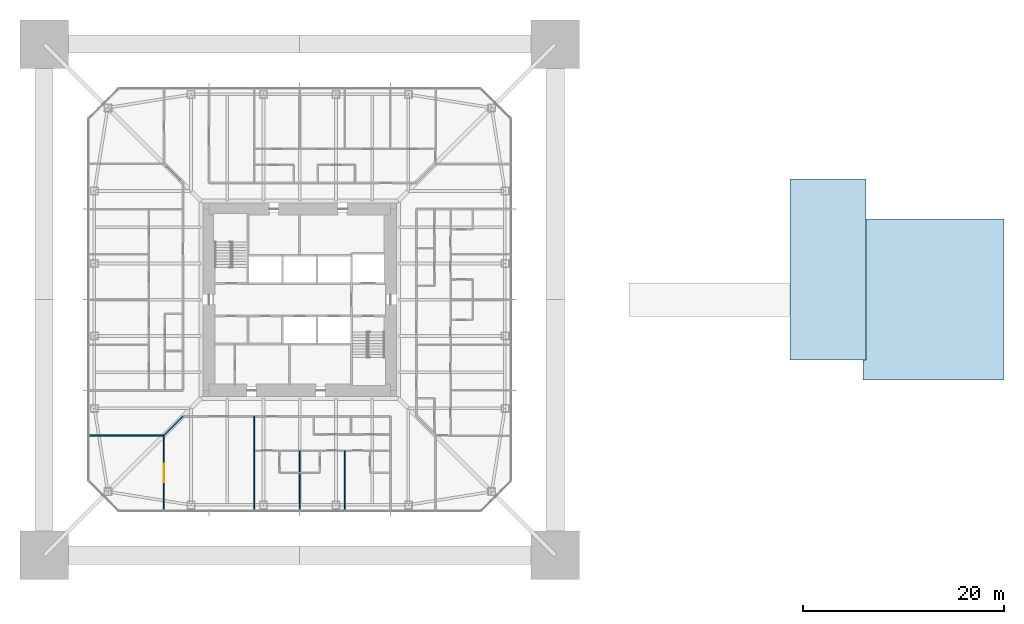
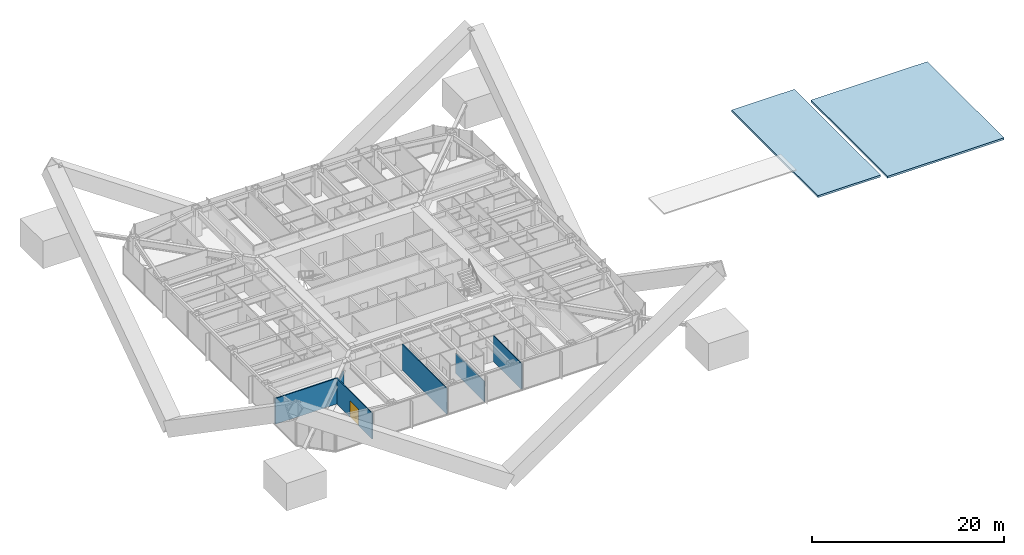
# One storey, part 9 of 17: 6 walls, 2 slabs, 1 door, 1 opening.
"""IFC4 building model written with IfcOpenShell, lengths in metres."""

from ifc_helpers import new_model, si_unit, direction, frame, frame_2d, origin, place, context, subcontext, project, spatial, polyline, rectangle, outline, extrude, material, layer, layer_set, type_object, element, fill, save


model = new_model("IFC4")

# Units and contexts
model_context = context("Model", 3, precision=1e-05, world=origin(), true_north=direction((0.0, 1.0)))
body_context = subcontext(model_context, "Body", "Model", "MODEL_VIEW")
ifc_project = project(units=[si_unit("LENGTHUNIT", "METRE"), si_unit("AREAUNIT", "SQUARE_METRE"), si_unit("VOLUMEUNIT", "CUBIC_METRE"), si_unit("PLANEANGLEUNIT", "RADIAN"), si_unit("MASSUNIT", "GRAM", prefix="KILO")], contexts=[model_context])

# Site, building, storey
site_placement = place(None, origin())
site = spatial("IfcSite", under=ifc_project, at=site_placement, CompositionType="ELEMENT")
building_placement = place(site_placement, origin())
building = spatial("IfcBuilding", under=site, at=building_placement, Name="Iwan Alto Co-Living Towers", CompositionType="ELEMENT")
storey_placement = place(building_placement, frame((0.0, 0.0, 133.0)))
storey = spatial("IfcBuildingStorey", under=building, at=storey_placement, Name="L36", CompositionType="ELEMENT", Elevation=133.0)

# Slabs
ifc_material_1 = material(Name="Concrete f'c 30 MPa", Category="concrete")
ifc_layer_1 = layer(ifc_material_1, 0.25)
ifc_layer_set_1 = layer_set([ifc_layer_1], Name="CORE ROOF SLAB 250")
slab_type_1 = type_object("IfcSlabType", Name="CORE ROOF SLAB 250", PredefinedType="ROOF", material=ifc_layer_set_1)
slab_1_placement = place(storey_placement, frame((0.0, 0.0, 1.0)))
element("IfcSlab", 1, at=slab_1_placement, inside=storey, type_object=slab_type_1, Name="T2 core roof", PredefinedType="ROOF", context=body_context, shape_type="SweptSolid", body=[
    extrude(outline(polyline([(56.0, -8.0), (70.0, -8.0), (70.0, 8.0), (56.0, 8.0), (56.0, -8.0)])), origin(), (0.0, 0.0, 1.0), 0.25),
])
ifc_material_2 = material(Name="Concrete f'c 30 MPa", Category="concrete")
ifc_layer_2 = layer(ifc_material_2, 0.25)
ifc_layer_set_2 = layer_set([ifc_layer_2], Name="ROOF LOUNGE ROOF SLAB 250")
slab_type_2 = type_object("IfcSlabType", Name="ROOF LOUNGE ROOF SLAB 250", PredefinedType="ROOF", material=ifc_layer_set_2)
slab_2_placement = place(storey_placement, frame((0.0, 0.0, -0.14990234375)))
element("IfcSlab", 2, at=slab_2_placement, inside=storey, type_object=slab_type_2, Name="T2 roof lounge roof", PredefinedType="ROOF", context=body_context, shape_type="SweptSolid", body=[
    extrude(outline(polyline([(48.75, -6.0), (56.300048828125, -6.0), (56.300048828125, 12.0), (48.75, 12.0), (48.75, -6.0)])), origin(), (0.0, 0.0, 1.0), 0.25),
])

# Walls
ifc_material_3 = material(Name="Gypsum board")
ifc_layer_3 = layer(ifc_material_3, 0.02490234375, Name="Board", Category="Finish")
ifc_material_4 = material(Name="Steel ASTM A1003 ST33H cold-formed studs", Category="steel")
ifc_layer_4 = layer(ifc_material_4, 0.10009765625, Name="Studs", Category="Framing")
ifc_layer_5 = layer(ifc_material_3, 0.02490234375, Name="Board", Category="Finish")
ifc_layer_set_3 = layer_set([ifc_layer_3, ifc_layer_4, ifc_layer_5], Name="CORRIDOR WALL 150")
wall_type_1 = type_object("IfcWallType", Name="CORRIDOR WALL 150", PredefinedType="PARTITIONING", material=ifc_layer_set_3)
wall_1_placement = place(storey_placement, frame((-20.93994140625, -13.5, 0.0), z_axis=(0.0, 0.0, 1.0), x_axis=(1.0, 0.0, 0.0)))
element("IfcWall", 3, at=wall_1_placement, inside=storey, type_object=wall_type_1, Name="Partition L36", PredefinedType="PARTITIONING", context=body_context, shape_type="SweptSolid", body=[
    extrude(rectangle(XDim=7.43994140625, YDim=0.14990234375, at=frame_2d((3.719970703125, 0.0))), origin(), (0.0, 0.0, 1.0), 3.27001953125),
])
wall_2_placement = place(storey_placement, frame((-13.5, -13.5, 0.0), z_axis=(0.0, 0.0, 1.0), x_axis=(0.707106781187, 0.707106781187, 0.0)))
element("IfcWall", 4, at=wall_2_placement, inside=storey, type_object=wall_type_1, Name="Partition L36", PredefinedType="PARTITIONING", context=body_context, shape_type="SweptSolid", body=[
    extrude(rectangle(XDim=2.686767578125, YDim=0.14990234375, at=frame_2d((1.34326171875, 0.0))), origin(), (0.0, 0.0, 1.0), 2.343017578125),
])
ifc_layer_6 = layer(ifc_material_3, 0.012451171875, Name="Board", Category="Finish")
ifc_layer_7 = layer(ifc_material_4, 0.074951171875, Name="Studs", Category="Framing")
ifc_layer_8 = layer(ifc_material_3, 0.012451171875, Name="Board", Category="Finish")
ifc_layer_set_4 = layer_set([ifc_layer_6, ifc_layer_7, ifc_layer_8], Name="PARTITION 100")
wall_type_2 = type_object("IfcWallType", Name="PARTITION 100", PredefinedType="PARTITIONING", material=ifc_layer_set_4)
wall_3_placement = place(storey_placement, frame((4.5, -20.93994140625, 0.0), z_axis=(0.0, 0.0, 1.0), x_axis=(0.0, 1.0, 0.0)))
element("IfcWall", 5, at=wall_3_placement, inside=storey, type_object=wall_type_2, Name="Partition L36", PredefinedType="PARTITIONING", context=body_context, shape_type="SweptSolid", body=[
    extrude(rectangle(XDim=5.93994140625, YDim=0.10009765625, at=frame_2d((2.969970703125, 0.0))), origin(), (0.0, 0.0, 1.0), 3.27001953125),
])
wall_4_placement = place(storey_placement, frame((0.0, -20.93994140625, 0.0), z_axis=(0.0, 0.0, 1.0), x_axis=(0.0, 1.0, 0.0)))
element("IfcWall", 6, at=wall_4_placement, inside=storey, type_object=wall_type_2, Name="Partition L36", PredefinedType="PARTITIONING", context=body_context, shape_type="SweptSolid", body=[
    extrude(rectangle(XDim=5.93994140625, YDim=0.10009765625, at=frame_2d((2.969970703125, 0.0))), origin(), (0.0, 0.0, 1.0), 2.586669921875),
])
wall_5_placement = place(storey_placement, frame((-4.5, -20.93994140625, 0.0), z_axis=(0.0, 0.0, 1.0), x_axis=(0.0, 1.0, 0.0)))
element("IfcWall", 7, at=wall_5_placement, inside=storey, type_object=wall_type_2, Name="Partition L36", PredefinedType="PARTITIONING", context=body_context, shape_type="SweptSolid", body=[
    extrude(rectangle(XDim=9.33984375, YDim=0.10009765625, at=frame_2d((4.669921875, 0.0))), origin(), (0.0, 0.0, 1.0), 3.27001953125),
])

# Wall, opening, door
wall_6_placement = place(storey_placement, frame((-13.5, -20.93994140625, 0.0), z_axis=(0.0, 0.0, 1.0), x_axis=(0.0, 1.0, 0.0)))
wall_6 = element("IfcWall", 8, at=wall_6_placement, inside=storey, type_object=wall_type_2, Name="Partition L36", PredefinedType="PARTITIONING", context=body_context, shape_type="SweptSolid", body=[
    extrude(rectangle(XDim=7.43994140625, YDim=0.10009765625, at=frame_2d((3.719970703125, 0.0))), origin(), (0.0, 0.0, 1.0), 3.27001953125),
])
opening_placement = place(wall_6_placement, frame((2.820068359375, 0.0, 0.0)))
opening = element("IfcOpeningElement", 9, at=opening_placement, cuts=wall_6, Name="Opening D14", PredefinedType="OPENING", context=body_context, shape_type="SweptSolid", body=[
    extrude(rectangle(XDim=1.800048828125, YDim=2.10009765625, at=frame_2d((0.89990234375, 1.050048828125))), frame((0.0, 0.06005859375, 0.0), z_axis=(0.0, -1.0, 0.0), x_axis=(1.0, 0.0, 0.0)), (0.0, 0.0, 1.0), 0.1201171875),
])
ifc_material_5 = material(Name="Timber leaf in steel frame", Category="steel")
door_type = type_object("IfcDoorType", Name="LOUNGE DOOR 1800X2100", OperationType="DOUBLE_DOOR_SINGLE_SWING", PredefinedType="DOOR", material=ifc_material_5)
door_placement = place(opening_placement, frame((1.800048828125, 0.0, 0.0), z_axis=(0.0, 0.0, 1.0), x_axis=(-1.0, 0.0, 0.0)))
door = element("IfcDoor", 10, at=door_placement, inside=storey, type_object=door_type, Name="Courtyard lounge door L36", OperationType="DOUBLE_DOOR_SINGLE_SWING", OverallHeight=2.10009765625, OverallWidth=1.800048828125, PredefinedType="DOOR", context=body_context, shape_type="SweptSolid", body=[
    extrude(rectangle(XDim=1.800048828125, YDim=2.10009765625, at=frame_2d((0.89990234375, 1.050048828125))), frame((0.0, 0.02490234375, 0.0), z_axis=(0.0, -1.0, 0.0), x_axis=(1.0, 0.0, 0.0)), (0.0, 0.0, 1.0), 0.050048828125),
])
fill(opening, door)

save(model, "model.ifc")
